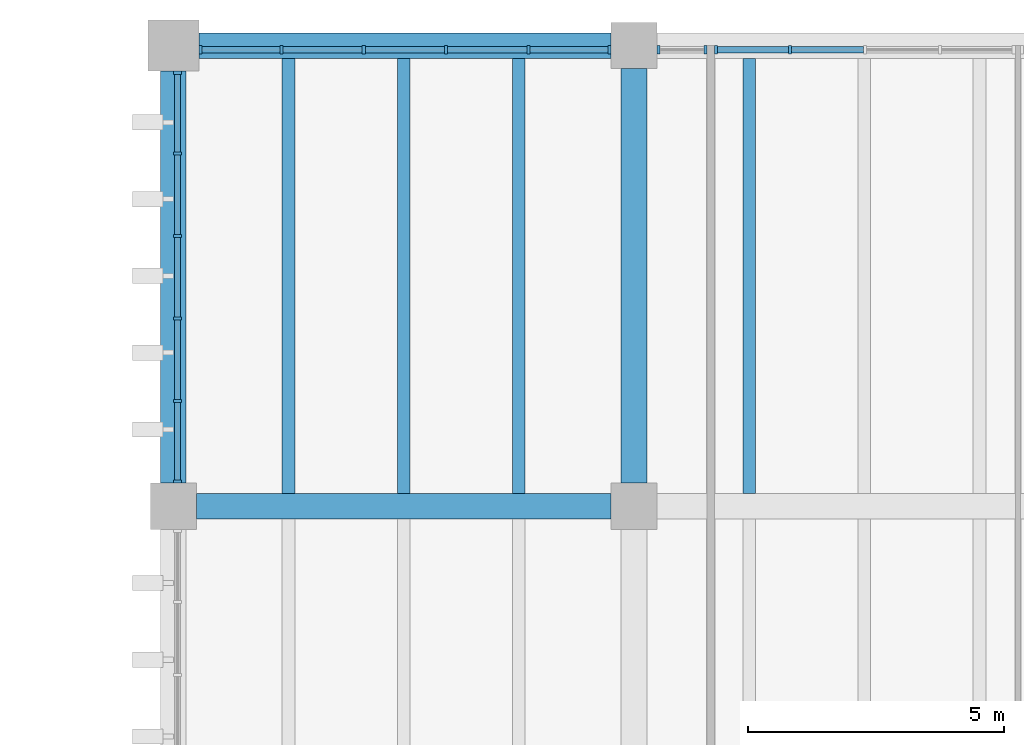
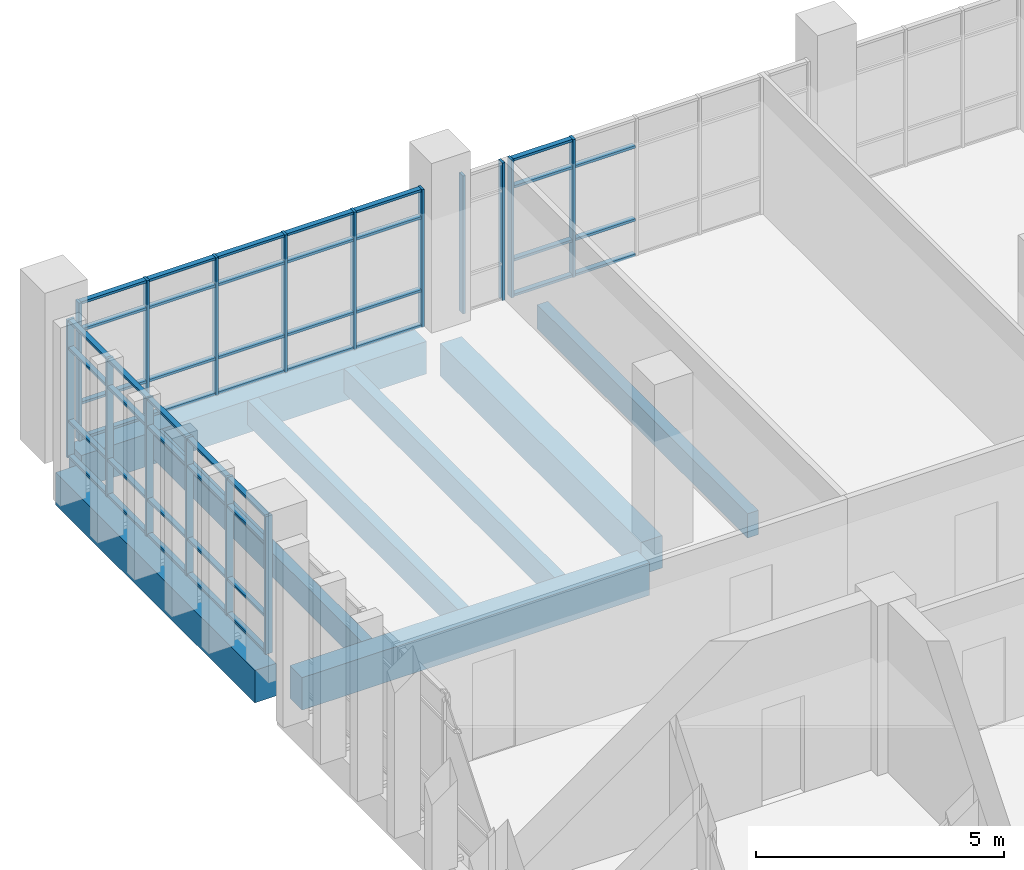
# One storey, part 26 of 74: 63 members, 8 beams, 4 elements without a shape of their own.
"""IFC4 building model written with IfcOpenShell, lengths in metres."""

from ifc_helpers import new_model, si_unit, direction, frame, origin, origin_2d, place, context, subcontext, project, spatial, rectangle, extrude, material, material_profile, profile_set, type_object, element, aggregate, save


model = new_model("IFC4")

# Units and contexts
model_context = context("Model", 3, precision=1e-05, world=origin(), true_north=direction((0.0, 1.0)))
body_context = subcontext(model_context, "Body", "Model", "MODEL_VIEW")
ifc_project = project(units=[si_unit("LENGTHUNIT", "METRE"), si_unit("AREAUNIT", "SQUARE_METRE"), si_unit("VOLUMEUNIT", "CUBIC_METRE"), si_unit("PLANEANGLEUNIT", "RADIAN"), si_unit("MASSUNIT", "GRAM", prefix="KILO")], contexts=[model_context])

# Site, building, storey
site_placement = place(None, origin())
site = spatial("IfcSite", under=ifc_project, at=site_placement, CompositionType="ELEMENT")
building_placement = place(site_placement, origin())
building = spatial("IfcBuilding", under=site, at=building_placement, Name="Merrow Basin Faculty of Sciences", CompositionType="ELEMENT")
storey_placement = place(building_placement, frame((0.0, 0.0, 13.5)))
storey = spatial("IfcBuildingStorey", under=building, at=storey_placement, Name="L03", CompositionType="ELEMENT", Elevation=13.5)

# Curtain wall, members
ifc_material_1 = material(Name="Aluminium alloy 6063", Category="aluminium")
curtain_wall_type = type_object("IfcCurtainWallType", Name="Unitised curtain wall 160", PredefinedType="NOTDEFINED", material=ifc_material_1)
curtain_wall_1_placement = place(storey_placement, origin())
curtain_wall_1 = element("IfcCurtainWall", 1, at=curtain_wall_1_placement, inside=storey, type_object=curtain_wall_type, Name="W curtain wall L03 3", PredefinedType="NOTDEFINED")
ifc_material_2 = material(Name="Aluminium alloy 6063", Category="aluminium")
ifc_material_profile_1 = material_profile(ifc_material_2, rectangle(XDim=0.159912109375, YDim=0.06005859375, at=origin_2d()))
ifc_profile_set_1 = profile_set([ifc_material_profile_1], Name="Aluminium alloy 6063")
member_type_1 = type_object("IfcMemberType", Name="Aluminium mullion 60x160", PredefinedType="MULLION", material=ifc_profile_set_1)
member_1_placement = place(storey_placement, frame((18.080078125, 160.47998046875, 0.0), z_axis=(0.0, 0.0, 1.0), x_axis=(-1.0, 0.0, 0.0)))
member_1 = element("IfcMember", 2, at=member_1_placement, type_object=member_type_1, Name="CW3 mullion 1", PredefinedType="MULLION", context=body_context, shape_type="SweptSolid", body=[
    extrude(rectangle(XDim=0.159912109375, YDim=0.06005859375, at=origin_2d()), origin(), (0.0, 0.0, 1.0), 3.39990234375),
])
member_2_placement = place(storey_placement, frame((18.080078125, 162.06005859375, 0.0), z_axis=(0.0, 0.0, 1.0), x_axis=(-1.0, 0.0, 0.0)))
member_2 = element("IfcMember", 3, at=member_2_placement, type_object=member_type_1, Name="CW3 mullion 2", PredefinedType="MULLION", context=body_context, shape_type="SweptSolid", body=[
    extrude(rectangle(XDim=0.159912109375, YDim=0.06005859375, at=origin_2d()), origin(), (0.0, 0.0, 1.0), 3.39990234375),
])
member_3_placement = place(storey_placement, frame((18.080078125, 163.669921875, 0.0), z_axis=(0.0, 0.0, 1.0), x_axis=(-1.0, 0.0, 0.0)))
member_3 = element("IfcMember", 4, at=member_3_placement, type_object=member_type_1, Name="CW3 mullion 3", PredefinedType="MULLION", context=body_context, shape_type="SweptSolid", body=[
    extrude(rectangle(XDim=0.159912109375, YDim=0.06005859375, at=origin_2d()), origin(), (0.0, 0.0, 1.0), 3.39990234375),
])
member_4_placement = place(storey_placement, frame((18.080078125, 165.280029296875, 0.0), z_axis=(0.0, 0.0, 1.0), x_axis=(-1.0, 0.0, 0.0)))
member_4 = element("IfcMember", 5, at=member_4_placement, type_object=member_type_1, Name="CW3 mullion 4", PredefinedType="MULLION", context=body_context, shape_type="SweptSolid", body=[
    extrude(rectangle(XDim=0.159912109375, YDim=0.06005859375, at=origin_2d()), origin(), (0.0, 0.0, 1.0), 3.39990234375),
])
member_5_placement = place(storey_placement, frame((18.080078125, 166.889892578125, 0.0), z_axis=(0.0, 0.0, 1.0), x_axis=(-1.0, 0.0, 0.0)))
member_5 = element("IfcMember", 6, at=member_5_placement, type_object=member_type_1, Name="CW3 mullion 5", PredefinedType="MULLION", context=body_context, shape_type="SweptSolid", body=[
    extrude(rectangle(XDim=0.159912109375, YDim=0.06005859375, at=origin_2d()), origin(), (0.0, 0.0, 1.0), 3.39990234375),
])
member_6_placement = place(storey_placement, frame((18.080078125, 168.469970703125, 0.0), z_axis=(0.0, 0.0, 1.0), x_axis=(-1.0, 0.0, 0.0)))
member_6 = element("IfcMember", 7, at=member_6_placement, type_object=member_type_1, Name="CW3 mullion 6", PredefinedType="MULLION", context=body_context, shape_type="SweptSolid", body=[
    extrude(rectangle(XDim=0.159912109375, YDim=0.06005859375, at=origin_2d()), origin(), (0.0, 0.0, 1.0), 3.39990234375),
])

curtain_wall_2_placement = place(storey_placement, origin())
curtain_wall_2 = element("IfcCurtainWall", 8, at=curtain_wall_2_placement, inside=storey, type_object=curtain_wall_type, Name="N curtain wall L03 1", PredefinedType="NOTDEFINED")
member_7_placement = place(storey_placement, frame((18.530029296875, 168.919921875, 0.0), z_axis=(0.0, 0.0, 1.0), x_axis=(0.0, 1.0, 0.0)))
member_7 = element("IfcMember", 9, at=member_7_placement, type_object=member_type_1, Name="CW3 mullion 1", PredefinedType="MULLION", context=body_context, shape_type="SweptSolid", body=[
    extrude(rectangle(XDim=0.159912109375, YDim=0.06005859375, at=origin_2d()), origin(), (0.0, 0.0, 1.0), 3.39990234375),
])
member_8_placement = place(storey_placement, frame((20.110107421875, 168.919921875, 0.0), z_axis=(0.0, 0.0, 1.0), x_axis=(0.0, 1.0, 0.0)))
member_8 = element("IfcMember", 10, at=member_8_placement, type_object=member_type_1, Name="CW3 mullion 2", PredefinedType="MULLION", context=body_context, shape_type="SweptSolid", body=[
    extrude(rectangle(XDim=0.159912109375, YDim=0.06005859375, at=origin_2d()), origin(), (0.0, 0.0, 1.0), 3.39990234375),
])
member_9_placement = place(storey_placement, frame((21.719970703125, 168.919921875, 0.0), z_axis=(0.0, 0.0, 1.0), x_axis=(0.0, 1.0, 0.0)))
member_9 = element("IfcMember", 11, at=member_9_placement, type_object=member_type_1, Name="CW3 mullion 3", PredefinedType="MULLION", context=body_context, shape_type="SweptSolid", body=[
    extrude(rectangle(XDim=0.159912109375, YDim=0.06005859375, at=origin_2d()), origin(), (0.0, 0.0, 1.0), 3.39990234375),
])
member_10_placement = place(storey_placement, frame((23.330078125, 168.919921875, 0.0), z_axis=(0.0, 0.0, 1.0), x_axis=(0.0, 1.0, 0.0)))
member_10 = element("IfcMember", 12, at=member_10_placement, type_object=member_type_1, Name="CW3 mullion 4", PredefinedType="MULLION", context=body_context, shape_type="SweptSolid", body=[
    extrude(rectangle(XDim=0.159912109375, YDim=0.06005859375, at=origin_2d()), origin(), (0.0, 0.0, 1.0), 3.39990234375),
])
member_11_placement = place(storey_placement, frame((24.93994140625, 168.919921875, 0.0), z_axis=(0.0, 0.0, 1.0), x_axis=(0.0, 1.0, 0.0)))
member_11 = element("IfcMember", 13, at=member_11_placement, type_object=member_type_1, Name="CW3 mullion 5", PredefinedType="MULLION", context=body_context, shape_type="SweptSolid", body=[
    extrude(rectangle(XDim=0.159912109375, YDim=0.06005859375, at=origin_2d()), origin(), (0.0, 0.0, 1.0), 3.39990234375),
])
member_12_placement = place(storey_placement, frame((26.52001953125, 168.919921875, 0.0), z_axis=(0.0, 0.0, 1.0), x_axis=(0.0, 1.0, 0.0)))
member_12 = element("IfcMember", 14, at=member_12_placement, type_object=member_type_1, Name="CW3 mullion 6", PredefinedType="MULLION", context=body_context, shape_type="SweptSolid", body=[
    extrude(rectangle(XDim=0.159912109375, YDim=0.06005859375, at=origin_2d()), origin(), (0.0, 0.0, 1.0), 3.39990234375),
])

curtain_wall_3_placement = place(storey_placement, origin())
curtain_wall_3 = element("IfcCurtainWall", 15, at=curtain_wall_3_placement, inside=storey, type_object=curtain_wall_type, Name="N curtain wall L03 2", PredefinedType="NOTDEFINED")
member_13_placement = place(storey_placement, frame((27.47998046875, 168.919921875, 0.0), z_axis=(0.0, 0.0, 1.0), x_axis=(0.0, 1.0, 0.0)))
member_13 = element("IfcMember", 16, at=member_13_placement, type_object=member_type_1, Name="CW3 mullion 1", PredefinedType="MULLION", context=body_context, shape_type="SweptSolid", body=[
    extrude(rectangle(XDim=0.159912109375, YDim=0.06005859375, at=origin_2d()), origin(), (0.0, 0.0, 1.0), 3.39990234375),
])
member_14_placement = place(storey_placement, frame((28.39501953125, 168.919921875, 0.0), z_axis=(0.0, 0.0, 1.0), x_axis=(0.0, 1.0, 0.0)))
member_14 = element("IfcMember", 17, at=member_14_placement, type_object=member_type_1, Name="CW3 mullion 2", PredefinedType="MULLION", context=body_context, shape_type="SweptSolid", body=[
    extrude(rectangle(XDim=0.159912109375, YDim=0.06005859375, at=origin_2d()), origin(), (0.0, 0.0, 1.0), 3.39990234375),
])
aggregate(curtain_wall_3, [member_13, member_14])

curtain_wall_4_placement = place(storey_placement, origin())
curtain_wall_4 = element("IfcCurtainWall", 18, at=curtain_wall_4_placement, inside=storey, type_object=curtain_wall_type, Name="N curtain wall L03 3", PredefinedType="NOTDEFINED")
member_15_placement = place(storey_placement, frame((28.60498046875, 168.919921875, 0.0), z_axis=(0.0, 0.0, 1.0), x_axis=(0.0, 1.0, 0.0)))
member_15 = element("IfcMember", 19, at=member_15_placement, type_object=member_type_1, Name="CW3 mullion 1", PredefinedType="MULLION", context=body_context, shape_type="SweptSolid", body=[
    extrude(rectangle(XDim=0.159912109375, YDim=0.06005859375, at=origin_2d()), origin(), (0.0, 0.0, 1.0), 3.39990234375),
])
member_16_placement = place(storey_placement, frame((30.043701171875, 168.919921875, 0.0), z_axis=(0.0, 0.0, 1.0), x_axis=(0.0, 1.0, 0.0)))
member_16 = element("IfcMember", 20, at=member_16_placement, type_object=member_type_1, Name="CW3 mullion 2", PredefinedType="MULLION", context=body_context, shape_type="SweptSolid", body=[
    extrude(rectangle(XDim=0.159912109375, YDim=0.06005859375, at=origin_2d()), origin(), (0.0, 0.0, 1.0), 3.39990234375),
])

# Member
ifc_material_3 = material(Name="Aluminium alloy 6063", Category="aluminium")
ifc_material_profile_2 = material_profile(ifc_material_3, rectangle(XDim=0.1201171875, YDim=0.06005859375, at=origin_2d()))
ifc_profile_set_2 = profile_set([ifc_material_profile_2], Name="Aluminium alloy 6063")
member_type_2 = type_object("IfcMemberType", Name="Aluminium transom 60x120", PredefinedType="USERDEFINED", material=ifc_profile_set_2)
member_17_placement = place(storey_placement, frame((18.080078125, 160.510009765625, 0.030029296875), z_axis=(0.0, 1.0, 0.0), x_axis=(-1.0, 0.0, 0.0)))
member_17 = element("IfcMember", 21, at=member_17_placement, type_object=member_type_2, Name="CW3 transom 1.1", ObjectType="TRANSOM", PredefinedType="USERDEFINED", context=body_context, shape_type="SweptSolid", body=[
    extrude(rectangle(XDim=0.1201171875, YDim=0.06005859375, at=origin_2d()), origin(), (0.0, 0.0, 1.0), 1.52001953125),
])

member_18_placement = place(storey_placement, frame((18.080078125, 160.510009765625, 0.89990234375), z_axis=(0.0, 1.0, 0.0), x_axis=(-1.0, 0.0, 0.0)))
member_18 = element("IfcMember", 22, at=member_18_placement, type_object=member_type_2, Name="CW3 transom 1.2", ObjectType="TRANSOM", PredefinedType="USERDEFINED", context=body_context, shape_type="SweptSolid", body=[
    extrude(rectangle(XDim=0.1201171875, YDim=0.06005859375, at=origin_2d()), origin(), (0.0, 0.0, 1.0), 1.52001953125),
])

member_19_placement = place(storey_placement, frame((18.080078125, 160.510009765625, 2.699951171875), z_axis=(0.0, 1.0, 0.0), x_axis=(-1.0, 0.0, 0.0)))
member_19 = element("IfcMember", 23, at=member_19_placement, type_object=member_type_2, Name="CW3 transom 1.3", ObjectType="TRANSOM", PredefinedType="USERDEFINED", context=body_context, shape_type="SweptSolid", body=[
    extrude(rectangle(XDim=0.1201171875, YDim=0.06005859375, at=origin_2d()), origin(), (0.0, 0.0, 1.0), 1.52001953125),
])

member_20_placement = place(storey_placement, frame((18.080078125, 160.510009765625, 3.3701171875), z_axis=(0.0, 1.0, 0.0), x_axis=(-1.0, 0.0, 0.0)))
member_20 = element("IfcMember", 24, at=member_20_placement, type_object=member_type_2, Name="CW3 transom 1.4", ObjectType="TRANSOM", PredefinedType="USERDEFINED", context=body_context, shape_type="SweptSolid", body=[
    extrude(rectangle(XDim=0.1201171875, YDim=0.06005859375, at=origin_2d()), origin(), (0.0, 0.0, 1.0), 1.52001953125),
])

member_21_placement = place(storey_placement, frame((18.080078125, 162.090087890625, 0.030029296875), z_axis=(0.0, 1.0, 0.0), x_axis=(-1.0, 0.0, 0.0)))
member_21 = element("IfcMember", 25, at=member_21_placement, type_object=member_type_2, Name="CW3 transom 2.1", ObjectType="TRANSOM", PredefinedType="USERDEFINED", context=body_context, shape_type="SweptSolid", body=[
    extrude(rectangle(XDim=0.1201171875, YDim=0.06005859375, at=origin_2d()), origin(), (0.0, 0.0, 1.0), 1.5498046875),
])

member_22_placement = place(storey_placement, frame((18.080078125, 162.090087890625, 0.89990234375), z_axis=(0.0, 1.0, 0.0), x_axis=(-1.0, 0.0, 0.0)))
member_22 = element("IfcMember", 26, at=member_22_placement, type_object=member_type_2, Name="CW3 transom 2.2", ObjectType="TRANSOM", PredefinedType="USERDEFINED", context=body_context, shape_type="SweptSolid", body=[
    extrude(rectangle(XDim=0.1201171875, YDim=0.06005859375, at=origin_2d()), origin(), (0.0, 0.0, 1.0), 1.5498046875),
])

member_23_placement = place(storey_placement, frame((18.080078125, 162.090087890625, 2.699951171875), z_axis=(0.0, 1.0, 0.0), x_axis=(-1.0, 0.0, 0.0)))
member_23 = element("IfcMember", 27, at=member_23_placement, type_object=member_type_2, Name="CW3 transom 2.3", ObjectType="TRANSOM", PredefinedType="USERDEFINED", context=body_context, shape_type="SweptSolid", body=[
    extrude(rectangle(XDim=0.1201171875, YDim=0.06005859375, at=origin_2d()), origin(), (0.0, 0.0, 1.0), 1.5498046875),
])

member_24_placement = place(storey_placement, frame((18.080078125, 162.090087890625, 3.3701171875), z_axis=(0.0, 1.0, 0.0), x_axis=(-1.0, 0.0, 0.0)))
member_24 = element("IfcMember", 28, at=member_24_placement, type_object=member_type_2, Name="CW3 transom 2.4", ObjectType="TRANSOM", PredefinedType="USERDEFINED", context=body_context, shape_type="SweptSolid", body=[
    extrude(rectangle(XDim=0.1201171875, YDim=0.06005859375, at=origin_2d()), origin(), (0.0, 0.0, 1.0), 1.5498046875),
])

member_25_placement = place(storey_placement, frame((18.080078125, 163.699951171875, 0.030029296875), z_axis=(0.0, 1.0, 0.0), x_axis=(-1.0, 0.0, 0.0)))
member_25 = element("IfcMember", 29, at=member_25_placement, type_object=member_type_2, Name="CW3 transom 3.1", ObjectType="TRANSOM", PredefinedType="USERDEFINED", context=body_context, shape_type="SweptSolid", body=[
    extrude(rectangle(XDim=0.1201171875, YDim=0.06005859375, at=origin_2d()), origin(), (0.0, 0.0, 1.0), 1.550048828125),
])

member_26_placement = place(storey_placement, frame((18.080078125, 163.699951171875, 0.89990234375), z_axis=(0.0, 1.0, 0.0), x_axis=(-1.0, 0.0, 0.0)))
member_26 = element("IfcMember", 30, at=member_26_placement, type_object=member_type_2, Name="CW3 transom 3.2", ObjectType="TRANSOM", PredefinedType="USERDEFINED", context=body_context, shape_type="SweptSolid", body=[
    extrude(rectangle(XDim=0.1201171875, YDim=0.06005859375, at=origin_2d()), origin(), (0.0, 0.0, 1.0), 1.550048828125),
])

member_27_placement = place(storey_placement, frame((18.080078125, 163.699951171875, 2.699951171875), z_axis=(0.0, 1.0, 0.0), x_axis=(-1.0, 0.0, 0.0)))
member_27 = element("IfcMember", 31, at=member_27_placement, type_object=member_type_2, Name="CW3 transom 3.3", ObjectType="TRANSOM", PredefinedType="USERDEFINED", context=body_context, shape_type="SweptSolid", body=[
    extrude(rectangle(XDim=0.1201171875, YDim=0.06005859375, at=origin_2d()), origin(), (0.0, 0.0, 1.0), 1.550048828125),
])

member_28_placement = place(storey_placement, frame((18.080078125, 163.699951171875, 3.3701171875), z_axis=(0.0, 1.0, 0.0), x_axis=(-1.0, 0.0, 0.0)))
member_28 = element("IfcMember", 32, at=member_28_placement, type_object=member_type_2, Name="CW3 transom 3.4", ObjectType="TRANSOM", PredefinedType="USERDEFINED", context=body_context, shape_type="SweptSolid", body=[
    extrude(rectangle(XDim=0.1201171875, YDim=0.06005859375, at=origin_2d()), origin(), (0.0, 0.0, 1.0), 1.550048828125),
])

member_29_placement = place(storey_placement, frame((18.080078125, 165.31005859375, 0.030029296875), z_axis=(0.0, 1.0, 0.0), x_axis=(-1.0, 0.0, 0.0)))
member_29 = element("IfcMember", 33, at=member_29_placement, type_object=member_type_2, Name="CW3 transom 4.1", ObjectType="TRANSOM", PredefinedType="USERDEFINED", context=body_context, shape_type="SweptSolid", body=[
    extrude(rectangle(XDim=0.1201171875, YDim=0.06005859375, at=origin_2d()), origin(), (0.0, 0.0, 1.0), 1.550048828125),
])

member_30_placement = place(storey_placement, frame((18.080078125, 165.31005859375, 0.89990234375), z_axis=(0.0, 1.0, 0.0), x_axis=(-1.0, 0.0, 0.0)))
member_30 = element("IfcMember", 34, at=member_30_placement, type_object=member_type_2, Name="CW3 transom 4.2", ObjectType="TRANSOM", PredefinedType="USERDEFINED", context=body_context, shape_type="SweptSolid", body=[
    extrude(rectangle(XDim=0.1201171875, YDim=0.06005859375, at=origin_2d()), origin(), (0.0, 0.0, 1.0), 1.550048828125),
])

member_31_placement = place(storey_placement, frame((18.080078125, 165.31005859375, 2.699951171875), z_axis=(0.0, 1.0, 0.0), x_axis=(-1.0, 0.0, 0.0)))
member_31 = element("IfcMember", 35, at=member_31_placement, type_object=member_type_2, Name="CW3 transom 4.3", ObjectType="TRANSOM", PredefinedType="USERDEFINED", context=body_context, shape_type="SweptSolid", body=[
    extrude(rectangle(XDim=0.1201171875, YDim=0.06005859375, at=origin_2d()), origin(), (0.0, 0.0, 1.0), 1.550048828125),
])

member_32_placement = place(storey_placement, frame((18.080078125, 165.31005859375, 3.3701171875), z_axis=(0.0, 1.0, 0.0), x_axis=(-1.0, 0.0, 0.0)))
member_32 = element("IfcMember", 36, at=member_32_placement, type_object=member_type_2, Name="CW3 transom 4.4", ObjectType="TRANSOM", PredefinedType="USERDEFINED", context=body_context, shape_type="SweptSolid", body=[
    extrude(rectangle(XDim=0.1201171875, YDim=0.06005859375, at=origin_2d()), origin(), (0.0, 0.0, 1.0), 1.550048828125),
])

member_33_placement = place(storey_placement, frame((18.080078125, 166.919921875, 0.030029296875), z_axis=(0.0, 1.0, 0.0), x_axis=(-1.0, 0.0, 0.0)))
member_33 = element("IfcMember", 37, at=member_33_placement, type_object=member_type_2, Name="CW3 transom 5.1", ObjectType="TRANSOM", PredefinedType="USERDEFINED", context=body_context, shape_type="SweptSolid", body=[
    extrude(rectangle(XDim=0.1201171875, YDim=0.06005859375, at=origin_2d()), origin(), (0.0, 0.0, 1.0), 1.52001953125),
])

member_34_placement = place(storey_placement, frame((18.080078125, 166.919921875, 0.89990234375), z_axis=(0.0, 1.0, 0.0), x_axis=(-1.0, 0.0, 0.0)))
member_34 = element("IfcMember", 38, at=member_34_placement, type_object=member_type_2, Name="CW3 transom 5.2", ObjectType="TRANSOM", PredefinedType="USERDEFINED", context=body_context, shape_type="SweptSolid", body=[
    extrude(rectangle(XDim=0.1201171875, YDim=0.06005859375, at=origin_2d()), origin(), (0.0, 0.0, 1.0), 1.52001953125),
])

member_35_placement = place(storey_placement, frame((18.080078125, 166.919921875, 2.699951171875), z_axis=(0.0, 1.0, 0.0), x_axis=(-1.0, 0.0, 0.0)))
member_35 = element("IfcMember", 39, at=member_35_placement, type_object=member_type_2, Name="CW3 transom 5.3", ObjectType="TRANSOM", PredefinedType="USERDEFINED", context=body_context, shape_type="SweptSolid", body=[
    extrude(rectangle(XDim=0.1201171875, YDim=0.06005859375, at=origin_2d()), origin(), (0.0, 0.0, 1.0), 1.52001953125),
])

member_36_placement = place(storey_placement, frame((18.080078125, 166.919921875, 3.3701171875), z_axis=(0.0, 1.0, 0.0), x_axis=(-1.0, 0.0, 0.0)))
member_36 = element("IfcMember", 40, at=member_36_placement, type_object=member_type_2, Name="CW3 transom 5.4", ObjectType="TRANSOM", PredefinedType="USERDEFINED", context=body_context, shape_type="SweptSolid", body=[
    extrude(rectangle(XDim=0.1201171875, YDim=0.06005859375, at=origin_2d()), origin(), (0.0, 0.0, 1.0), 1.52001953125),
])

aggregate(curtain_wall_1, [member_1, member_2, member_3, member_4, member_5, member_6, member_17, member_18, member_19, member_20, member_21, member_22, member_23, member_24, member_25, member_26, member_27, member_28, member_29, member_30, member_31, member_32, member_33, member_34, member_35, member_36])

member_37_placement = place(storey_placement, frame((18.56005859375, 168.919921875, 0.030029296875), z_axis=(1.0, 0.0, 0.0), x_axis=(0.0, 1.0, 0.0)))
member_37 = element("IfcMember", 41, at=member_37_placement, type_object=member_type_2, Name="CW3 transom 1.1", ObjectType="TRANSOM", PredefinedType="USERDEFINED", context=body_context, shape_type="SweptSolid", body=[
    extrude(rectangle(XDim=0.1201171875, YDim=0.06005859375, at=origin_2d()), origin(), (0.0, 0.0, 1.0), 1.52001953125),
])

member_38_placement = place(storey_placement, frame((18.56005859375, 168.919921875, 0.89990234375), z_axis=(1.0, 0.0, 0.0), x_axis=(0.0, 1.0, 0.0)))
member_38 = element("IfcMember", 42, at=member_38_placement, type_object=member_type_2, Name="CW3 transom 1.2", ObjectType="TRANSOM", PredefinedType="USERDEFINED", context=body_context, shape_type="SweptSolid", body=[
    extrude(rectangle(XDim=0.1201171875, YDim=0.06005859375, at=origin_2d()), origin(), (0.0, 0.0, 1.0), 1.52001953125),
])

member_39_placement = place(storey_placement, frame((18.56005859375, 168.919921875, 2.699951171875), z_axis=(1.0, 0.0, 0.0), x_axis=(0.0, 1.0, 0.0)))
member_39 = element("IfcMember", 43, at=member_39_placement, type_object=member_type_2, Name="CW3 transom 1.3", ObjectType="TRANSOM", PredefinedType="USERDEFINED", context=body_context, shape_type="SweptSolid", body=[
    extrude(rectangle(XDim=0.1201171875, YDim=0.06005859375, at=origin_2d()), origin(), (0.0, 0.0, 1.0), 1.52001953125),
])

member_40_placement = place(storey_placement, frame((18.56005859375, 168.919921875, 3.3701171875), z_axis=(1.0, 0.0, 0.0), x_axis=(0.0, 1.0, 0.0)))
member_40 = element("IfcMember", 44, at=member_40_placement, type_object=member_type_2, Name="CW3 transom 1.4", ObjectType="TRANSOM", PredefinedType="USERDEFINED", context=body_context, shape_type="SweptSolid", body=[
    extrude(rectangle(XDim=0.1201171875, YDim=0.06005859375, at=origin_2d()), origin(), (0.0, 0.0, 1.0), 1.52001953125),
])

member_41_placement = place(storey_placement, frame((20.139892578125, 168.919921875, 0.030029296875), z_axis=(1.0, 0.0, 0.0), x_axis=(0.0, 1.0, 0.0)))
member_41 = element("IfcMember", 45, at=member_41_placement, type_object=member_type_2, Name="CW3 transom 2.1", ObjectType="TRANSOM", PredefinedType="USERDEFINED", context=body_context, shape_type="SweptSolid", body=[
    extrude(rectangle(XDim=0.1201171875, YDim=0.06005859375, at=origin_2d()), origin(), (0.0, 0.0, 1.0), 1.550048828125),
])

member_42_placement = place(storey_placement, frame((20.139892578125, 168.919921875, 0.89990234375), z_axis=(1.0, 0.0, 0.0), x_axis=(0.0, 1.0, 0.0)))
member_42 = element("IfcMember", 46, at=member_42_placement, type_object=member_type_2, Name="CW3 transom 2.2", ObjectType="TRANSOM", PredefinedType="USERDEFINED", context=body_context, shape_type="SweptSolid", body=[
    extrude(rectangle(XDim=0.1201171875, YDim=0.06005859375, at=origin_2d()), origin(), (0.0, 0.0, 1.0), 1.550048828125),
])

member_43_placement = place(storey_placement, frame((20.139892578125, 168.919921875, 2.699951171875), z_axis=(1.0, 0.0, 0.0), x_axis=(0.0, 1.0, 0.0)))
member_43 = element("IfcMember", 47, at=member_43_placement, type_object=member_type_2, Name="CW3 transom 2.3", ObjectType="TRANSOM", PredefinedType="USERDEFINED", context=body_context, shape_type="SweptSolid", body=[
    extrude(rectangle(XDim=0.1201171875, YDim=0.06005859375, at=origin_2d()), origin(), (0.0, 0.0, 1.0), 1.550048828125),
])

member_44_placement = place(storey_placement, frame((20.139892578125, 168.919921875, 3.3701171875), z_axis=(1.0, 0.0, 0.0), x_axis=(0.0, 1.0, 0.0)))
member_44 = element("IfcMember", 48, at=member_44_placement, type_object=member_type_2, Name="CW3 transom 2.4", ObjectType="TRANSOM", PredefinedType="USERDEFINED", context=body_context, shape_type="SweptSolid", body=[
    extrude(rectangle(XDim=0.1201171875, YDim=0.06005859375, at=origin_2d()), origin(), (0.0, 0.0, 1.0), 1.550048828125),
])

member_45_placement = place(storey_placement, frame((21.75, 168.919921875, 0.030029296875), z_axis=(1.0, 0.0, 0.0), x_axis=(0.0, 1.0, 0.0)))
member_45 = element("IfcMember", 49, at=member_45_placement, type_object=member_type_2, Name="CW3 transom 3.1", ObjectType="TRANSOM", PredefinedType="USERDEFINED", context=body_context, shape_type="SweptSolid", body=[
    extrude(rectangle(XDim=0.1201171875, YDim=0.06005859375, at=origin_2d()), origin(), (0.0, 0.0, 1.0), 1.550048828125),
])

member_46_placement = place(storey_placement, frame((21.75, 168.919921875, 0.89990234375), z_axis=(1.0, 0.0, 0.0), x_axis=(0.0, 1.0, 0.0)))
member_46 = element("IfcMember", 50, at=member_46_placement, type_object=member_type_2, Name="CW3 transom 3.2", ObjectType="TRANSOM", PredefinedType="USERDEFINED", context=body_context, shape_type="SweptSolid", body=[
    extrude(rectangle(XDim=0.1201171875, YDim=0.06005859375, at=origin_2d()), origin(), (0.0, 0.0, 1.0), 1.550048828125),
])

member_47_placement = place(storey_placement, frame((21.75, 168.919921875, 2.699951171875), z_axis=(1.0, 0.0, 0.0), x_axis=(0.0, 1.0, 0.0)))
member_47 = element("IfcMember", 51, at=member_47_placement, type_object=member_type_2, Name="CW3 transom 3.3", ObjectType="TRANSOM", PredefinedType="USERDEFINED", context=body_context, shape_type="SweptSolid", body=[
    extrude(rectangle(XDim=0.1201171875, YDim=0.06005859375, at=origin_2d()), origin(), (0.0, 0.0, 1.0), 1.550048828125),
])

member_48_placement = place(storey_placement, frame((21.75, 168.919921875, 3.3701171875), z_axis=(1.0, 0.0, 0.0), x_axis=(0.0, 1.0, 0.0)))
member_48 = element("IfcMember", 52, at=member_48_placement, type_object=member_type_2, Name="CW3 transom 3.4", ObjectType="TRANSOM", PredefinedType="USERDEFINED", context=body_context, shape_type="SweptSolid", body=[
    extrude(rectangle(XDim=0.1201171875, YDim=0.06005859375, at=origin_2d()), origin(), (0.0, 0.0, 1.0), 1.550048828125),
])

member_49_placement = place(storey_placement, frame((23.360107421875, 168.919921875, 0.030029296875), z_axis=(1.0, 0.0, 0.0), x_axis=(0.0, 1.0, 0.0)))
member_49 = element("IfcMember", 53, at=member_49_placement, type_object=member_type_2, Name="CW3 transom 4.1", ObjectType="TRANSOM", PredefinedType="USERDEFINED", context=body_context, shape_type="SweptSolid", body=[
    extrude(rectangle(XDim=0.1201171875, YDim=0.06005859375, at=origin_2d()), origin(), (0.0, 0.0, 1.0), 1.5498046875),
])

member_50_placement = place(storey_placement, frame((23.360107421875, 168.919921875, 0.89990234375), z_axis=(1.0, 0.0, 0.0), x_axis=(0.0, 1.0, 0.0)))
member_50 = element("IfcMember", 54, at=member_50_placement, type_object=member_type_2, Name="CW3 transom 4.2", ObjectType="TRANSOM", PredefinedType="USERDEFINED", context=body_context, shape_type="SweptSolid", body=[
    extrude(rectangle(XDim=0.1201171875, YDim=0.06005859375, at=origin_2d()), origin(), (0.0, 0.0, 1.0), 1.5498046875),
])

member_51_placement = place(storey_placement, frame((23.360107421875, 168.919921875, 2.699951171875), z_axis=(1.0, 0.0, 0.0), x_axis=(0.0, 1.0, 0.0)))
member_51 = element("IfcMember", 55, at=member_51_placement, type_object=member_type_2, Name="CW3 transom 4.3", ObjectType="TRANSOM", PredefinedType="USERDEFINED", context=body_context, shape_type="SweptSolid", body=[
    extrude(rectangle(XDim=0.1201171875, YDim=0.06005859375, at=origin_2d()), origin(), (0.0, 0.0, 1.0), 1.5498046875),
])

member_52_placement = place(storey_placement, frame((23.360107421875, 168.919921875, 3.3701171875), z_axis=(1.0, 0.0, 0.0), x_axis=(0.0, 1.0, 0.0)))
member_52 = element("IfcMember", 56, at=member_52_placement, type_object=member_type_2, Name="CW3 transom 4.4", ObjectType="TRANSOM", PredefinedType="USERDEFINED", context=body_context, shape_type="SweptSolid", body=[
    extrude(rectangle(XDim=0.1201171875, YDim=0.06005859375, at=origin_2d()), origin(), (0.0, 0.0, 1.0), 1.5498046875),
])

member_53_placement = place(storey_placement, frame((24.969970703125, 168.919921875, 0.030029296875), z_axis=(1.0, 0.0, 0.0), x_axis=(0.0, 1.0, 0.0)))
member_53 = element("IfcMember", 57, at=member_53_placement, type_object=member_type_2, Name="CW3 transom 5.1", ObjectType="TRANSOM", PredefinedType="USERDEFINED", context=body_context, shape_type="SweptSolid", body=[
    extrude(rectangle(XDim=0.1201171875, YDim=0.06005859375, at=origin_2d()), origin(), (0.0, 0.0, 1.0), 1.52001953125),
])

member_54_placement = place(storey_placement, frame((24.969970703125, 168.919921875, 0.89990234375), z_axis=(1.0, 0.0, 0.0), x_axis=(0.0, 1.0, 0.0)))
member_54 = element("IfcMember", 58, at=member_54_placement, type_object=member_type_2, Name="CW3 transom 5.2", ObjectType="TRANSOM", PredefinedType="USERDEFINED", context=body_context, shape_type="SweptSolid", body=[
    extrude(rectangle(XDim=0.1201171875, YDim=0.06005859375, at=origin_2d()), origin(), (0.0, 0.0, 1.0), 1.52001953125),
])

member_55_placement = place(storey_placement, frame((24.969970703125, 168.919921875, 2.699951171875), z_axis=(1.0, 0.0, 0.0), x_axis=(0.0, 1.0, 0.0)))
member_55 = element("IfcMember", 59, at=member_55_placement, type_object=member_type_2, Name="CW3 transom 5.3", ObjectType="TRANSOM", PredefinedType="USERDEFINED", context=body_context, shape_type="SweptSolid", body=[
    extrude(rectangle(XDim=0.1201171875, YDim=0.06005859375, at=origin_2d()), origin(), (0.0, 0.0, 1.0), 1.52001953125),
])

member_56_placement = place(storey_placement, frame((24.969970703125, 168.919921875, 3.3701171875), z_axis=(1.0, 0.0, 0.0), x_axis=(0.0, 1.0, 0.0)))
member_56 = element("IfcMember", 60, at=member_56_placement, type_object=member_type_2, Name="CW3 transom 5.4", ObjectType="TRANSOM", PredefinedType="USERDEFINED", context=body_context, shape_type="SweptSolid", body=[
    extrude(rectangle(XDim=0.1201171875, YDim=0.06005859375, at=origin_2d()), origin(), (0.0, 0.0, 1.0), 1.52001953125),
])

aggregate(curtain_wall_2, [member_7, member_8, member_9, member_10, member_11, member_12, member_37, member_38, member_39, member_40, member_41, member_42, member_43, member_44, member_45, member_46, member_47, member_48, member_49, member_50, member_51, member_52, member_53, member_54, member_55, member_56])

member_57_placement = place(storey_placement, frame((28.635009765625, 168.919921875, 0.030029296875), z_axis=(1.0, 0.0, 0.0), x_axis=(0.0, 1.0, 0.0)))
member_57 = element("IfcMember", 61, at=member_57_placement, type_object=member_type_2, Name="CW3 transom 1.1", ObjectType="TRANSOM", PredefinedType="USERDEFINED", context=body_context, shape_type="SweptSolid", body=[
    extrude(rectangle(XDim=0.1201171875, YDim=0.06005859375, at=origin_2d()), origin(), (0.0, 0.0, 1.0), 1.378662109375),
])

member_58_placement = place(storey_placement, frame((28.635009765625, 168.919921875, 0.89990234375), z_axis=(1.0, 0.0, 0.0), x_axis=(0.0, 1.0, 0.0)))
member_58 = element("IfcMember", 62, at=member_58_placement, type_object=member_type_2, Name="CW3 transom 1.2", ObjectType="TRANSOM", PredefinedType="USERDEFINED", context=body_context, shape_type="SweptSolid", body=[
    extrude(rectangle(XDim=0.1201171875, YDim=0.06005859375, at=origin_2d()), origin(), (0.0, 0.0, 1.0), 1.378662109375),
])

member_59_placement = place(storey_placement, frame((28.635009765625, 168.919921875, 2.699951171875), z_axis=(1.0, 0.0, 0.0), x_axis=(0.0, 1.0, 0.0)))
member_59 = element("IfcMember", 63, at=member_59_placement, type_object=member_type_2, Name="CW3 transom 1.3", ObjectType="TRANSOM", PredefinedType="USERDEFINED", context=body_context, shape_type="SweptSolid", body=[
    extrude(rectangle(XDim=0.1201171875, YDim=0.06005859375, at=origin_2d()), origin(), (0.0, 0.0, 1.0), 1.378662109375),
])

member_60_placement = place(storey_placement, frame((28.635009765625, 168.919921875, 3.3701171875), z_axis=(1.0, 0.0, 0.0), x_axis=(0.0, 1.0, 0.0)))
member_60 = element("IfcMember", 64, at=member_60_placement, type_object=member_type_2, Name="CW3 transom 1.4", ObjectType="TRANSOM", PredefinedType="USERDEFINED", context=body_context, shape_type="SweptSolid", body=[
    extrude(rectangle(XDim=0.1201171875, YDim=0.06005859375, at=origin_2d()), origin(), (0.0, 0.0, 1.0), 1.378662109375),
])

member_61_placement = place(storey_placement, frame((30.07373046875, 168.919921875, 0.030029296875), z_axis=(1.0, 0.0, 0.0), x_axis=(0.0, 1.0, 0.0)))
member_61 = element("IfcMember", 65, at=member_61_placement, type_object=member_type_2, Name="CW3 transom 2.1", ObjectType="TRANSOM", PredefinedType="USERDEFINED", context=body_context, shape_type="SweptSolid", body=[
    extrude(rectangle(XDim=0.1201171875, YDim=0.06005859375, at=origin_2d()), origin(), (0.0, 0.0, 1.0), 1.40869140625),
])

member_62_placement = place(storey_placement, frame((30.07373046875, 168.919921875, 0.89990234375), z_axis=(1.0, 0.0, 0.0), x_axis=(0.0, 1.0, 0.0)))
member_62 = element("IfcMember", 66, at=member_62_placement, type_object=member_type_2, Name="CW3 transom 2.2", ObjectType="TRANSOM", PredefinedType="USERDEFINED", context=body_context, shape_type="SweptSolid", body=[
    extrude(rectangle(XDim=0.1201171875, YDim=0.06005859375, at=origin_2d()), origin(), (0.0, 0.0, 1.0), 1.40869140625),
])

member_63_placement = place(storey_placement, frame((30.07373046875, 168.919921875, 2.699951171875), z_axis=(1.0, 0.0, 0.0), x_axis=(0.0, 1.0, 0.0)))
member_63 = element("IfcMember", 67, at=member_63_placement, type_object=member_type_2, Name="CW3 transom 2.3", ObjectType="TRANSOM", PredefinedType="USERDEFINED", context=body_context, shape_type="SweptSolid", body=[
    extrude(rectangle(XDim=0.1201171875, YDim=0.06005859375, at=origin_2d()), origin(), (0.0, 0.0, 1.0), 1.40869140625),
])

aggregate(curtain_wall_4, [member_15, member_16, member_57, member_58, member_59, member_60, member_61, member_62, member_63])

# Beams
ifc_material_4 = material(Name="Concrete C40/50", Category="concrete")
ifc_material_profile_3 = material_profile(ifc_material_4, rectangle(XDim=0.5, YDim=0.800048828125, at=origin_2d()))
ifc_profile_set_3 = profile_set([ifc_material_profile_3], Name="Concrete C40/50")
beam_type_1 = type_object("IfcBeamType", Name="Beam RC500x800 C40/50", PredefinedType="BEAM", material=ifc_profile_set_3)
beam_1_placement = place(storey_placement, frame((18.449951171875, 160.0, -0.699951171875), z_axis=(1.0, 0.0, 0.0), x_axis=(0.0, 1.0, 0.0)))
element("IfcBeam", 68, at=beam_1_placement, inside=storey, type_object=beam_type_1, Name="B4 L03 006", PredefinedType="BEAM", context=body_context, shape_type="SweptSolid", body=[
    extrude(rectangle(XDim=0.5, YDim=0.800048828125, at=origin_2d()), origin(), (0.0, 0.0, 1.0), 8.10009765625),
])
for number, where, z_axis, x_axis, name in (
    (69, (18.5, 169.0, -0.699951171875), (1.0, 0.0, 0.0), (0.0, 1.0, 0.0), "B4 L03 009"),
    (70, (18.0, 160.449951171875, -0.699951171875), (0.0, 1.0, 0.0), (-1.0, 0.0, 0.0), "B4 L03 014"),
):
    element("IfcBeam", number, at=place(storey_placement, frame(where, z_axis=z_axis, x_axis=x_axis)), inside=storey, type_object=beam_type_1, Name=name, PredefinedType="BEAM", context=body_context, shape_type="SweptSolid", body=[
        extrude(rectangle(XDim=0.5, YDim=0.800048828125, at=origin_2d()), origin(), (0.0, 0.0, 1.0), 8.050048828125),
    ])
beam_2_placement = place(storey_placement, frame((27.0, 160.449951171875, -0.699951171875), z_axis=(0.0, 1.0, 0.0), x_axis=(-1.0, 0.0, 0.0)))
element("IfcBeam", 71, at=beam_2_placement, inside=storey, type_object=beam_type_1, Name="B4 L03 016", PredefinedType="BEAM", context=body_context, shape_type="SweptSolid", body=[
    extrude(rectangle(XDim=0.5, YDim=0.800048828125, at=origin_2d()), origin(), (0.0, 0.0, 1.0), 8.10009765625),
])
ifc_material_5 = material(Name="Concrete C40/50", Category="concrete")
ifc_material_profile_4 = material_profile(ifc_material_5, rectangle(XDim=0.25, YDim=0.60009765625, at=origin_2d()))
ifc_profile_set_4 = profile_set([ifc_material_profile_4], Name="Concrete C40/50")
beam_type_2 = type_object("IfcBeamType", Name="Tower floor joist RC250x600 C40/50", PredefinedType="BEAM", material=ifc_profile_set_4)
for number, where, z_axis, x_axis, name in (
    (72, (20.25, 160.25, -0.60009765625), (0.0, 1.0, 0.0), (-1.0, 0.0, 0.0), "JT1 L03 029"),
    (73, (22.5, 160.25, -0.60009765625), (0.0, 1.0, 0.0), (-1.0, 0.0, 0.0), "JT1 L03 030"),
    (74, (24.75, 160.25, -0.60009765625), (0.0, 1.0, 0.0), (-1.0, 0.0, 0.0), "JT1 L03 031"),
    (75, (29.25, 160.25, -0.60009765625), (0.0, 1.0, 0.0), (-1.0, 0.0, 0.0), "JT1 L03 038"),
):
    element("IfcBeam", number, at=place(storey_placement, frame(where, z_axis=z_axis, x_axis=x_axis)), inside=storey, type_object=beam_type_2, Name=name, PredefinedType="BEAM", context=body_context, shape_type="SweptSolid", body=[
        extrude(rectangle(XDim=0.25, YDim=0.60009765625, at=origin_2d()), origin(), (0.0, 0.0, 1.0), 8.5),
    ])

save(model, "model.ifc")
